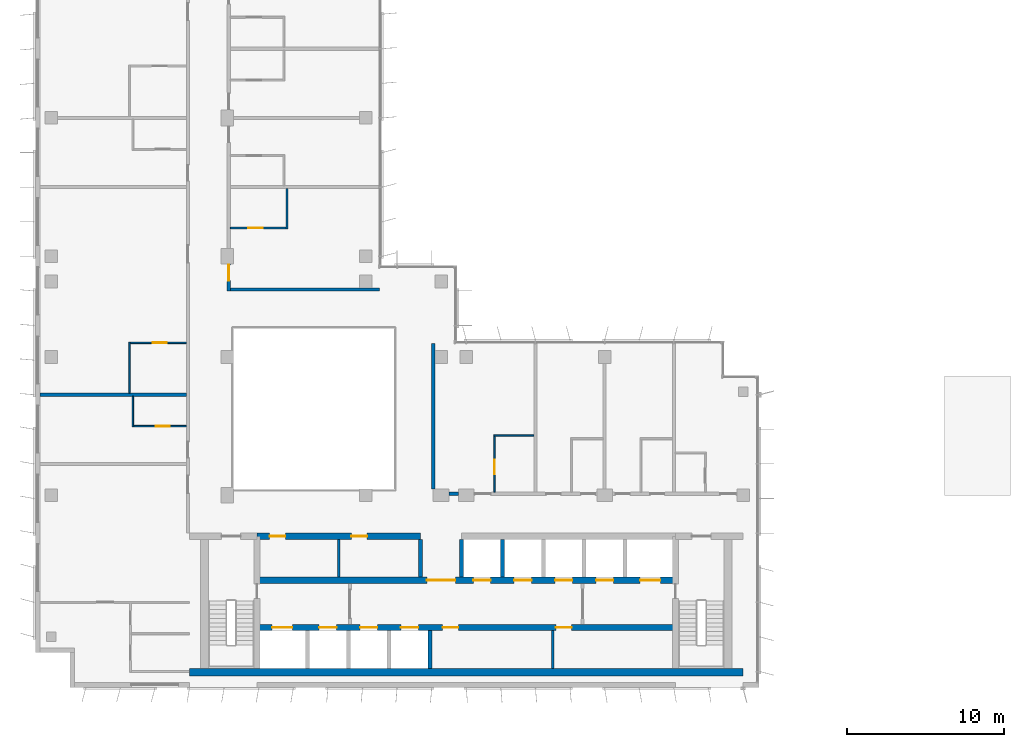
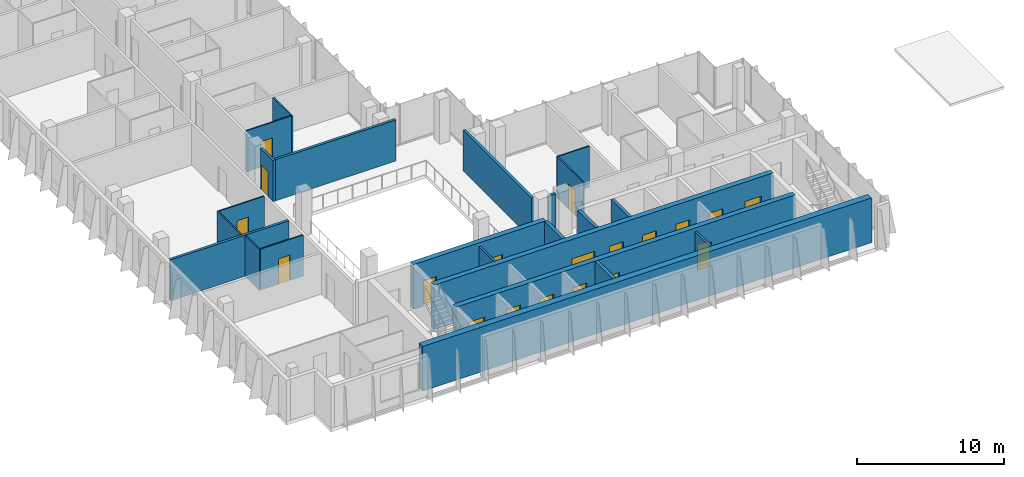
# One storey, part 10 of 17: 23 walls, 19 doors, 19 openings.
"""IFC4 building model written with IfcOpenShell, lengths in metres."""

from ifc_helpers import new_model, si_unit, direction, frame, frame_2d, origin, place, context, subcontext, project, spatial, rectangle, extrude, material, layer, layer_set, type_object, element, fill, save


model = new_model("IFC4")

# Units and contexts
model_context = context("Model", 3, precision=1e-05, world=origin(), true_north=direction((0.0, 1.0)))
body_context = subcontext(model_context, "Body", "Model", "MODEL_VIEW")
ifc_project = project(units=[si_unit("LENGTHUNIT", "METRE"), si_unit("AREAUNIT", "SQUARE_METRE"), si_unit("VOLUMEUNIT", "CUBIC_METRE"), si_unit("PLANEANGLEUNIT", "RADIAN"), si_unit("MASSUNIT", "GRAM", prefix="KILO")], contexts=[model_context])

# Site, building, storey
site_placement = place(None, origin())
site = spatial("IfcSite", under=ifc_project, at=site_placement, CompositionType="ELEMENT")
building_placement = place(site_placement, origin())
building = spatial("IfcBuilding", under=site, at=building_placement, Name="Kemantara Hotel Tower", CompositionType="ELEMENT")
storey_placement = place(building_placement, frame((0.0, 0.0, 226.5)))
storey = spatial("IfcBuildingStorey", under=building, at=storey_placement, Name="L56", CompositionType="ELEMENT", Elevation=226.5)

# Walls
ifc_material_1 = material(Name="Concrete fc 60 MPa", Category="concrete")
ifc_layer_1 = layer(ifc_material_1, 0.25)
ifc_layer_set_1 = layer_set([ifc_layer_1], Name="Concrete fc 60 MPa")
wall_type_1 = type_object("IfcWallType", Name="CORE WALL 250 FC60", PredefinedType="SHEAR", material=ifc_layer_set_1)
wall_1_placement = place(storey_placement, frame((25.10009765625, 1.199951171875, 0.0), z_axis=(0.0, 0.0, 1.0), x_axis=(0.0, 1.0, 0.0)))
element("IfcWall", 1, at=wall_1_placement, inside=storey, type_object=wall_type_1, Name="CORE WALL CW-DS25.1", PredefinedType="SHEAR", context=body_context, shape_type="SweptSolid", body=[
    extrude(rectangle(XDim=2.400146484375, YDim=0.25, at=frame_2d((1.2001953125, 0.0))), origin(), (0.0, 0.0, 1.0), 3.699951171875),
])
for number, where, z_axis, x_axis, name in (
    (2, (24.5, 7.0, 0.0), (0.0, 0.0, 1.0), (0.0, 1.0, 0.0), "CORE WALL CW-DN24.5"),
    (3, (27.10009765625, 7.0, 0.0), (0.0, 0.0, 1.0), (0.0, 1.0, 0.0), "CORE WALL CW-DN27.1"),
    (4, (29.699951171875, 7.0, 0.0), (0.0, 0.0, 1.0), (0.0, 1.0, 0.0), "CORE WALL CW-DN29.7"),
):
    element("IfcWall", number, at=place(storey_placement, frame(where, z_axis=z_axis, x_axis=x_axis)), inside=storey, type_object=wall_type_1, Name=name, PredefinedType="SHEAR", context=body_context, shape_type="SweptSolid", body=[
        extrude(rectangle(XDim=2.39990234375, YDim=0.25, at=frame_2d((1.199951171875, 0.0))), origin(), (0.0, 0.0, 1.0), 3.699951171875),
    ])

# Wall, openings, doors
ifc_layer_2 = layer(ifc_material_1, 0.39990234375)
ifc_layer_set_2 = layer_set([ifc_layer_2], Name="Concrete fc 60 MPa")
wall_type_2 = type_object("IfcWallType", Name="CORE WALL 400 FC60", PredefinedType="SHEAR", material=ifc_layer_set_2)
wall_2_placement = place(storey_placement, frame((14.10009765625, 9.60009765625, 0.0), z_axis=(0.0, 0.0, 1.0), x_axis=(1.0, 0.0, 0.0)))
wall_2 = element("IfcWall", 5, at=wall_2_placement, inside=storey, type_object=wall_type_2, Name="CORE WALL CW-NN1", PredefinedType="SHEAR", context=body_context, shape_type="SweptSolid", body=[
    extrude(rectangle(XDim=10.39990234375, YDim=0.39990234375, at=frame_2d((5.199951171875, 0.0))), origin(), (0.0, 0.0, 1.0), 3.699951171875),
])
opening_1_placement = place(wall_2_placement, frame((0.800048828125, 0.0, 0.0)))
opening_1 = element("IfcOpeningElement", 6, at=opening_1_placement, cuts=wall_2, Name="Opening C35-R-NW1", PredefinedType="OPENING", context=body_context, shape_type="SweptSolid", body=[
    extrude(rectangle(XDim=1.0, YDim=2.10009765625, at=frame_2d((0.5, 1.050048828125))), frame((0.0, 0.2099609375, 0.0), z_axis=(0.0, -1.0, 0.0), x_axis=(1.0, 0.0, 0.0)), (0.0, 0.0, 1.0), 0.419921875),
])
opening_2_placement = place(wall_2_placement, frame((6.0, 0.0, 0.0)))
opening_2 = element("IfcOpeningElement", 7, at=opening_2_placement, cuts=wall_2, Name="Opening C35-R-NW2", PredefinedType="OPENING", context=body_context, shape_type="SweptSolid", body=[
    extrude(rectangle(XDim=1.0, YDim=2.10009765625, at=frame_2d((0.5, 1.050048828125))), frame((0.0, 0.2099609375, 0.0), z_axis=(0.0, -1.0, 0.0), x_axis=(1.0, 0.0, 0.0)), (0.0, 0.0, 1.0), 0.419921875),
])
ifc_material_2 = material(Name="Steel fire door", Category="steel")
door_type_1 = type_object("IfcDoorType", Name="Fire door FD30S 1000 x 2100", OperationType="NOTDEFINED", PredefinedType="DOOR", material=ifc_material_2)
door_1_placement = place(opening_1_placement, frame((1.0, 0.0, 0.0), z_axis=(0.0, 0.0, 1.0), x_axis=(-1.0, 0.0, 0.0)))
door_1 = element("IfcDoor", 8, at=door_1_placement, inside=storey, type_object=door_type_1, Name="Housekeeping Store door", OperationType="SINGLE_SWING_RIGHT", OverallHeight=2.10009765625, OverallWidth=1.0, PredefinedType="DOOR", context=body_context, shape_type="SweptSolid", body=[
    extrude(rectangle(XDim=1.0, YDim=2.10009765625, at=frame_2d((0.5, 1.050048828125))), frame((0.0, 0.02490234375, 0.0), z_axis=(0.0, -1.0, 0.0), x_axis=(1.0, 0.0, 0.0)), (0.0, 0.0, 1.0), 0.050048828125),
])
fill(opening_1, door_1)
door_2_placement = place(opening_2_placement, frame((1.0, 0.0, 0.0), z_axis=(0.0, 0.0, 1.0), x_axis=(-1.0, 0.0, 0.0)))
door_2 = element("IfcDoor", 9, at=door_2_placement, inside=storey, type_object=door_type_1, Name="Staff Lounge door", OperationType="SINGLE_SWING_LEFT", OverallHeight=2.10009765625, OverallWidth=1.0, PredefinedType="DOOR", context=body_context, shape_type="SweptSolid", body=[
    extrude(rectangle(XDim=1.0, YDim=2.10009765625, at=frame_2d((0.5, 1.050048828125))), frame((0.0, 0.02490234375, 0.0), z_axis=(0.0, -1.0, 0.0), x_axis=(1.0, 0.0, 0.0)), (0.0, 0.0, 1.0), 0.050048828125),
])
fill(opening_2, door_2)

wall_3_placement = place(storey_placement, frame((14.10009765625, 3.800048828125, 0.0), z_axis=(0.0, 0.0, 1.0), x_axis=(1.0, 0.0, 0.0)))
wall_3 = element("IfcWall", 10, at=wall_3_placement, inside=storey, type_object=wall_type_2, Name="CORE WALL CW-L1", PredefinedType="SHEAR", context=body_context, shape_type="SweptSolid", body=[
    extrude(rectangle(XDim=26.599853515625, YDim=0.39990234375, at=frame_2d((13.2998046875, 0.0))), origin(), (0.0, 0.0, 1.0), 3.699951171875),
])
opening_3_placement = place(wall_3_placement, frame((0.949951171875, 0.0, 0.0)))
opening_3 = element("IfcOpeningElement", 11, at=opening_3_placement, cuts=wall_3, Name="Opening C35-LD-FF1", PredefinedType="OPENING", context=body_context, shape_type="SweptSolid", body=[
    extrude(rectangle(XDim=1.300048828125, YDim=2.10009765625, at=frame_2d((0.64990234375, 1.050048828125))), frame((0.0, 0.2099609375, 0.0), z_axis=(0.0, -1.0, 0.0), x_axis=(1.0, 0.0, 0.0)), (0.0, 0.0, 1.0), 0.419921875),
])
opening_4_placement = place(wall_3_placement, frame((3.949951171875, 0.0, 0.0)))
opening_4 = element("IfcOpeningElement", 12, at=opening_4_placement, cuts=wall_3, Name="Opening C35-LD-SV1", PredefinedType="OPENING", context=body_context, shape_type="SweptSolid", body=[
    extrude(rectangle(XDim=1.10009765625, YDim=2.10009765625, at=frame_2d((0.550048828125, 1.050048828125))), frame((0.0, 0.2099609375, 0.0), z_axis=(0.0, -1.0, 0.0), x_axis=(1.0, 0.0, 0.0)), (0.0, 0.0, 1.0), 0.419921875),
])
opening_5_placement = place(wall_3_placement, frame((6.550048828125, 0.0, 0.0)))
opening_5 = element("IfcOpeningElement", 13, at=opening_5_placement, cuts=wall_3, Name="Opening C35-LD-SV2", PredefinedType="OPENING", context=body_context, shape_type="SweptSolid", body=[
    extrude(rectangle(XDim=1.10009765625, YDim=2.10009765625, at=frame_2d((0.550048828125, 1.050048828125))), frame((0.0, 0.2099609375, 0.0), z_axis=(0.0, -1.0, 0.0), x_axis=(1.0, 0.0, 0.0)), (0.0, 0.0, 1.0), 0.419921875),
])
opening_6_placement = place(wall_3_placement, frame((9.14990234375, 0.0, 0.0)))
opening_6 = element("IfcOpeningElement", 14, at=opening_6_placement, cuts=wall_3, Name="Opening C35-LD-SV3", PredefinedType="OPENING", context=body_context, shape_type="SweptSolid", body=[
    extrude(rectangle(XDim=1.10009765625, YDim=2.10009765625, at=frame_2d((0.550048828125, 1.050048828125))), frame((0.0, 0.2099609375, 0.0), z_axis=(0.0, -1.0, 0.0), x_axis=(1.0, 0.0, 0.0)), (0.0, 0.0, 1.0), 0.419921875),
])
opening_7_placement = place(wall_3_placement, frame((11.800048828125, 0.0, 0.0)))
opening_7 = element("IfcOpeningElement", 15, at=opening_7_placement, cuts=wall_3, Name="Opening C35-R-SM1", PredefinedType="OPENING", context=body_context, shape_type="SweptSolid", body=[
    extrude(rectangle(XDim=1.0, YDim=2.10009765625, at=frame_2d((0.5, 1.050048828125))), frame((0.0, 0.2099609375, 0.0), z_axis=(0.0, -1.0, 0.0), x_axis=(1.0, 0.0, 0.0)), (0.0, 0.0, 1.0), 0.419921875),
])
opening_8_placement = place(wall_3_placement, frame((19.0, 0.0, 0.0)))
opening_8 = element("IfcOpeningElement", 16, at=opening_8_placement, cuts=wall_3, Name="Opening C35-R-SM2", PredefinedType="OPENING", context=body_context, shape_type="SweptSolid", body=[
    extrude(rectangle(XDim=1.0, YDim=2.10009765625, at=frame_2d((0.5, 1.050048828125))), frame((0.0, 0.2099609375, 0.0), z_axis=(0.0, -1.0, 0.0), x_axis=(1.0, 0.0, 0.0)), (0.0, 0.0, 1.0), 0.419921875),
])
door_3_placement = place(opening_7_placement, frame((1.0, 0.0, 0.0), z_axis=(0.0, 0.0, 1.0), x_axis=(-1.0, 0.0, 0.0)))
door_3 = element("IfcDoor", 17, at=door_3_placement, inside=storey, type_object=door_type_1, Name="Luggage Store door", OperationType="SINGLE_SWING_RIGHT", OverallHeight=2.10009765625, OverallWidth=1.0, PredefinedType="DOOR", context=body_context, shape_type="SweptSolid", body=[
    extrude(rectangle(XDim=1.0, YDim=2.10009765625, at=frame_2d((0.5, 1.050048828125))), frame((0.0, 0.02490234375, 0.0), z_axis=(0.0, -1.0, 0.0), x_axis=(1.0, 0.0, 0.0)), (0.0, 0.0, 1.0), 0.050048828125),
])
fill(opening_7, door_3)
door_4_placement = place(opening_8_placement, frame((1.0, 0.0, 0.0), z_axis=(0.0, 0.0, 1.0), x_axis=(-1.0, 0.0, 0.0)))
door_4 = element("IfcDoor", 18, at=door_4_placement, inside=storey, type_object=door_type_1, Name="Guest Pantry door", OperationType="SINGLE_SWING_LEFT", OverallHeight=2.10009765625, OverallWidth=1.0, PredefinedType="DOOR", context=body_context, shape_type="SweptSolid", body=[
    extrude(rectangle(XDim=1.0, YDim=2.10009765625, at=frame_2d((0.5, 1.050048828125))), frame((0.0, 0.02490234375, 0.0), z_axis=(0.0, -1.0, 0.0), x_axis=(1.0, 0.0, 0.0)), (0.0, 0.0, 1.0), 0.050048828125),
])
fill(opening_8, door_4)
ifc_material_3 = material(Name="Stainless steel lift door", Category="steel")
door_type_2 = type_object("IfcDoorType", Name="Lift landing door 1100 x 2100 FD60", OperationType="DOUBLE_DOOR_SLIDING", PredefinedType="DOOR", material=ifc_material_3)
door_5_placement = place(opening_4_placement, origin())
door_5 = element("IfcDoor", 19, at=door_5_placement, inside=storey, type_object=door_type_2, Name="Lift SV1 landing door", OperationType="DOUBLE_DOOR_SLIDING", OverallHeight=2.10009765625, OverallWidth=1.10009765625, PredefinedType="DOOR", context=body_context, shape_type="SweptSolid", body=[
    extrude(rectangle(XDim=1.10009765625, YDim=2.10009765625, at=frame_2d((0.550048828125, 1.050048828125))), frame((0.0, 0.02490234375, 0.0), z_axis=(0.0, -1.0, 0.0), x_axis=(1.0, 0.0, 0.0)), (0.0, 0.0, 1.0), 0.050048828125),
])
fill(opening_4, door_5)
door_6_placement = place(opening_5_placement, origin())
door_6 = element("IfcDoor", 20, at=door_6_placement, inside=storey, type_object=door_type_2, Name="Lift SV2 landing door", OperationType="DOUBLE_DOOR_SLIDING", OverallHeight=2.10009765625, OverallWidth=1.10009765625, PredefinedType="DOOR", context=body_context, shape_type="SweptSolid", body=[
    extrude(rectangle(XDim=1.10009765625, YDim=2.10009765625, at=frame_2d((0.550048828125, 1.050048828125))), frame((0.0, 0.02490234375, 0.0), z_axis=(0.0, -1.0, 0.0), x_axis=(1.0, 0.0, 0.0)), (0.0, 0.0, 1.0), 0.050048828125),
])
fill(opening_5, door_6)
door_7_placement = place(opening_6_placement, origin())
door_7 = element("IfcDoor", 21, at=door_7_placement, inside=storey, type_object=door_type_2, Name="Lift SV3 landing door", OperationType="DOUBLE_DOOR_SLIDING", OverallHeight=2.10009765625, OverallWidth=1.10009765625, PredefinedType="DOOR", context=body_context, shape_type="SweptSolid", body=[
    extrude(rectangle(XDim=1.10009765625, YDim=2.10009765625, at=frame_2d((0.550048828125, 1.050048828125))), frame((0.0, 0.02490234375, 0.0), z_axis=(0.0, -1.0, 0.0), x_axis=(1.0, 0.0, 0.0)), (0.0, 0.0, 1.0), 0.050048828125),
])
fill(opening_6, door_7)
door_type_3 = type_object("IfcDoorType", Name="Lift landing door 1300 x 2100 FD90", OperationType="DOUBLE_DOOR_SLIDING", PredefinedType="DOOR", material=ifc_material_3)
door_8_placement = place(opening_3_placement, origin())
door_8 = element("IfcDoor", 22, at=door_8_placement, inside=storey, type_object=door_type_3, Name="Lift FF1 landing door", OperationType="DOUBLE_DOOR_SLIDING", OverallHeight=2.10009765625, OverallWidth=1.300048828125, PredefinedType="DOOR", context=body_context, shape_type="SweptSolid", body=[
    extrude(rectangle(XDim=1.300048828125, YDim=2.10009765625, at=frame_2d((0.64990234375, 1.050048828125))), frame((0.0, 0.02490234375, 0.0), z_axis=(0.0, -1.0, 0.0), x_axis=(1.0, 0.0, 0.0)), (0.0, 0.0, 1.0), 0.050048828125),
])
fill(opening_3, door_8)

wall_4_placement = place(storey_placement, frame((14.10009765625, 6.800048828125, 0.0), z_axis=(0.0, 0.0, 1.0), x_axis=(1.0, 0.0, 0.0)))
wall_4 = element("IfcWall", 23, at=wall_4_placement, inside=storey, type_object=wall_type_2, Name="CORE WALL CW-L2", PredefinedType="SHEAR", context=body_context, shape_type="SweptSolid", body=[
    extrude(rectangle(XDim=26.599853515625, YDim=0.39990234375, at=frame_2d((13.2998046875, 0.0))), origin(), (0.0, 0.0, 1.0), 3.699951171875),
])
opening_9_placement = place(wall_4_placement, frame((10.800048828125, 0.0, 0.0)))
opening_9 = element("IfcOpeningElement", 24, at=opening_9_placement, cuts=wall_4, Name="Opening C35-VL", PredefinedType="OPENING", context=body_context, shape_type="SweptSolid", body=[
    extrude(rectangle(XDim=1.800048828125, YDim=2.10009765625, at=frame_2d((0.89990234375, 1.050048828125))), frame((0.0, 0.2099609375, 0.0), z_axis=(0.0, -1.0, 0.0), x_axis=(1.0, 0.0, 0.0)), (0.0, 0.0, 1.0), 0.419921875),
])
opening_10_placement = place(wall_4_placement, frame((13.75, 0.0, 0.0)))
opening_10 = element("IfcOpeningElement", 25, at=opening_10_placement, cuts=wall_4, Name="Opening C35-LD-HR1", PredefinedType="OPENING", context=body_context, shape_type="SweptSolid", body=[
    extrude(rectangle(XDim=1.10009765625, YDim=2.10009765625, at=frame_2d((0.550048828125, 1.050048828125))), frame((0.0, 0.2099609375, 0.0), z_axis=(0.0, -1.0, 0.0), x_axis=(1.0, 0.0, 0.0)), (0.0, 0.0, 1.0), 0.419921875),
])
opening_11_placement = place(wall_4_placement, frame((16.35009765625, 0.0, 0.0)))
opening_11 = element("IfcOpeningElement", 26, at=opening_11_placement, cuts=wall_4, Name="Opening C35-LD-HR2", PredefinedType="OPENING", context=body_context, shape_type="SweptSolid", body=[
    extrude(rectangle(XDim=1.10009765625, YDim=2.10009765625, at=frame_2d((0.550048828125, 1.050048828125))), frame((0.0, 0.2099609375, 0.0), z_axis=(0.0, -1.0, 0.0), x_axis=(1.0, 0.0, 0.0)), (0.0, 0.0, 1.0), 0.419921875),
])
opening_12_placement = place(wall_4_placement, frame((18.949951171875, 0.0, 0.0)))
opening_12 = element("IfcOpeningElement", 27, at=opening_12_placement, cuts=wall_4, Name="Opening C35-LD-HR3", PredefinedType="OPENING", context=body_context, shape_type="SweptSolid", body=[
    extrude(rectangle(XDim=1.10009765625, YDim=2.10009765625, at=frame_2d((0.550048828125, 1.050048828125))), frame((0.0, 0.2099609375, 0.0), z_axis=(0.0, -1.0, 0.0), x_axis=(1.0, 0.0, 0.0)), (0.0, 0.0, 1.0), 0.419921875),
])
opening_13_placement = place(wall_4_placement, frame((21.550048828125, 0.0, 0.0)))
opening_13 = element("IfcOpeningElement", 28, at=opening_13_placement, cuts=wall_4, Name="Opening C35-LD-HR4", PredefinedType="OPENING", context=body_context, shape_type="SweptSolid", body=[
    extrude(rectangle(XDim=1.10009765625, YDim=2.10009765625, at=frame_2d((0.550048828125, 1.050048828125))), frame((0.0, 0.2099609375, 0.0), z_axis=(0.0, -1.0, 0.0), x_axis=(1.0, 0.0, 0.0)), (0.0, 0.0, 1.0), 0.419921875),
])
opening_14_placement = place(wall_4_placement, frame((24.35009765625, 0.0, 0.0)))
opening_14 = element("IfcOpeningElement", 29, at=opening_14_placement, cuts=wall_4, Name="Opening C35-LD-FF2", PredefinedType="OPENING", context=body_context, shape_type="SweptSolid", body=[
    extrude(rectangle(XDim=1.300048828125, YDim=2.10009765625, at=frame_2d((0.64990234375, 1.050048828125))), frame((0.0, 0.2099609375, 0.0), z_axis=(0.0, -1.0, 0.0), x_axis=(1.0, 0.0, 0.0)), (0.0, 0.0, 1.0), 0.419921875),
])
door_type_4 = type_object("IfcDoorType", Name="Fire door pair FD60 1800 x 2100", OperationType="DOUBLE_DOOR_SINGLE_SWING", PredefinedType="DOOR", material=ifc_material_2)
door_9_placement = place(opening_9_placement, frame((1.800048828125, 0.0, 0.0), z_axis=(0.0, 0.0, 1.0), x_axis=(-1.0, 0.0, 0.0)))
door_9 = element("IfcDoor", 30, at=door_9_placement, inside=storey, type_object=door_type_4, Name="Lift lobby entry door", OperationType="DOUBLE_DOOR_SINGLE_SWING", OverallHeight=2.10009765625, OverallWidth=1.800048828125, PredefinedType="DOOR", context=body_context, shape_type="SweptSolid", body=[
    extrude(rectangle(XDim=1.800048828125, YDim=2.10009765625, at=frame_2d((0.89990234375, 1.050048828125))), frame((0.0, 0.02490234375, 0.0), z_axis=(0.0, -1.0, 0.0), x_axis=(1.0, 0.0, 0.0)), (0.0, 0.0, 1.0), 0.050048828125),
])
fill(opening_9, door_9)
door_10_placement = place(opening_10_placement, origin())
door_10 = element("IfcDoor", 31, at=door_10_placement, inside=storey, type_object=door_type_2, Name="Lift HR1 landing door", OperationType="DOUBLE_DOOR_SLIDING", OverallHeight=2.10009765625, OverallWidth=1.10009765625, PredefinedType="DOOR", context=body_context, shape_type="SweptSolid", body=[
    extrude(rectangle(XDim=1.10009765625, YDim=2.10009765625, at=frame_2d((0.550048828125, 1.050048828125))), frame((0.0, 0.02490234375, 0.0), z_axis=(0.0, -1.0, 0.0), x_axis=(1.0, 0.0, 0.0)), (0.0, 0.0, 1.0), 0.050048828125),
])
fill(opening_10, door_10)
door_11_placement = place(opening_11_placement, origin())
door_11 = element("IfcDoor", 32, at=door_11_placement, inside=storey, type_object=door_type_2, Name="Lift HR2 landing door", OperationType="DOUBLE_DOOR_SLIDING", OverallHeight=2.10009765625, OverallWidth=1.10009765625, PredefinedType="DOOR", context=body_context, shape_type="SweptSolid", body=[
    extrude(rectangle(XDim=1.10009765625, YDim=2.10009765625, at=frame_2d((0.550048828125, 1.050048828125))), frame((0.0, 0.02490234375, 0.0), z_axis=(0.0, -1.0, 0.0), x_axis=(1.0, 0.0, 0.0)), (0.0, 0.0, 1.0), 0.050048828125),
])
fill(opening_11, door_11)
door_12_placement = place(opening_12_placement, origin())
door_12 = element("IfcDoor", 33, at=door_12_placement, inside=storey, type_object=door_type_2, Name="Lift HR3 landing door", OperationType="DOUBLE_DOOR_SLIDING", OverallHeight=2.10009765625, OverallWidth=1.10009765625, PredefinedType="DOOR", context=body_context, shape_type="SweptSolid", body=[
    extrude(rectangle(XDim=1.10009765625, YDim=2.10009765625, at=frame_2d((0.550048828125, 1.050048828125))), frame((0.0, 0.02490234375, 0.0), z_axis=(0.0, -1.0, 0.0), x_axis=(1.0, 0.0, 0.0)), (0.0, 0.0, 1.0), 0.050048828125),
])
fill(opening_12, door_12)
door_13_placement = place(opening_13_placement, origin())
door_13 = element("IfcDoor", 34, at=door_13_placement, inside=storey, type_object=door_type_2, Name="Lift HR4 landing door", OperationType="DOUBLE_DOOR_SLIDING", OverallHeight=2.10009765625, OverallWidth=1.10009765625, PredefinedType="DOOR", context=body_context, shape_type="SweptSolid", body=[
    extrude(rectangle(XDim=1.10009765625, YDim=2.10009765625, at=frame_2d((0.550048828125, 1.050048828125))), frame((0.0, 0.02490234375, 0.0), z_axis=(0.0, -1.0, 0.0), x_axis=(1.0, 0.0, 0.0)), (0.0, 0.0, 1.0), 0.050048828125),
])
fill(opening_13, door_13)
door_14_placement = place(opening_14_placement, origin())
door_14 = element("IfcDoor", 35, at=door_14_placement, inside=storey, type_object=door_type_3, Name="Lift FF2 landing door", OperationType="DOUBLE_DOOR_SLIDING", OverallHeight=2.10009765625, OverallWidth=1.300048828125, PredefinedType="DOOR", context=body_context, shape_type="SweptSolid", body=[
    extrude(rectangle(XDim=1.300048828125, YDim=2.10009765625, at=frame_2d((0.64990234375, 1.050048828125))), frame((0.0, 0.02490234375, 0.0), z_axis=(0.0, -1.0, 0.0), x_axis=(1.0, 0.0, 0.0)), (0.0, 0.0, 1.0), 0.050048828125),
])
fill(opening_14, door_14)

# Walls
ifc_layer_3 = layer(ifc_material_1, 0.5)
ifc_layer_set_3 = layer_set([ifc_layer_3], Name="Concrete fc 60 MPa")
wall_type_3 = type_object("IfcWallType", Name="CORE WALL 500 FC60", PredefinedType="SHEAR", material=ifc_layer_set_3)
wall_5_placement = place(storey_placement, frame((9.800048828125, 0.949951171875, 0.0), z_axis=(0.0, 0.0, 1.0), x_axis=(1.0, 0.0, 0.0)))
element("IfcWall", 36, at=wall_5_placement, inside=storey, type_object=wall_type_3, Name="CORE WALL CW-S", PredefinedType="SHEAR", context=body_context, shape_type="SweptSolid", body=[
    extrude(rectangle(XDim=35.199951171875, YDim=0.5, at=frame_2d((17.60009765625, 0.0))), origin(), (0.0, 0.0, 1.0), 3.699951171875),
])
ifc_material_4 = material(Name="Gypsum board partition, steel studs and mineral wool, 200 mm", Category="steel")
ifc_layer_4 = layer(ifc_material_4, 0.199951171875)
ifc_layer_set_4 = layer_set([ifc_layer_4], Name="Gypsum board partition, steel studs and mineral wool, 200 mm")
wall_type_4 = type_object("IfcWallType", Name="CORRIDOR WALL 200", PredefinedType="PARTITIONING", material=ifc_layer_set_4)
wall_6_placement = place(storey_placement, frame((26.300048828125, 12.300048828125, 0.0), z_axis=(0.0, 0.0, 1.0), x_axis=(1.0, 0.0, 0.0)))
element("IfcWall", 37, at=wall_6_placement, inside=storey, type_object=wall_type_4, Name="CORRIDOR WALL 200 001", PredefinedType="PARTITIONING", context=body_context, shape_type="SweptSolid", body=[
    extrude(rectangle(XDim=0.599853515625, YDim=0.199951171875, at=frame_2d((0.2998046875, 0.0))), origin(), (0.0, 0.0, 1.0), 3.39990234375),
])

# Wall, opening, door
wall_7_placement = place(storey_placement, frame((12.300048828125, 26.89990234375, 0.0), z_axis=(0.0, 0.0, 1.0), x_axis=(0.0, -1.0, 0.0)))
wall_7 = element("IfcWall", 38, at=wall_7_placement, inside=storey, type_object=wall_type_4, Name="CORRIDOR WALL 200 020", PredefinedType="PARTITIONING", context=body_context, shape_type="SweptSolid", body=[
    extrude(rectangle(XDim=1.699951171875, YDim=0.199951171875, at=frame_2d((0.85009765625, 0.0))), origin(), (0.0, 0.0, 1.0), 3.39990234375),
])
opening_15_placement = place(wall_7_placement, frame((0.0498046875, 0.0, 0.0)))
opening_15 = element("IfcOpeningElement", 39, at=opening_15_placement, cuts=wall_7, Name="Opening F27-025", PredefinedType="OPENING", context=body_context, shape_type="SweptSolid", body=[
    extrude(rectangle(XDim=1.0, YDim=2.10009765625, at=frame_2d((0.5, 1.050048828125))), frame((0.0, 0.10986328125, 0.0), z_axis=(0.0, -1.0, 0.0), x_axis=(1.0, 0.0, 0.0)), (0.0, 0.0, 1.0), 0.219970703125),
])
ifc_material_5 = material(Name="Hardwood veneer door leaf with steel frame", Category="steel")
door_type_5 = type_object("IfcDoorType", Name="GUEST ROOM DOOR 1000 X 2100 FD30S", OperationType="NOTDEFINED", PredefinedType="DOOR", material=ifc_material_5)
door_15_placement = place(opening_15_placement, origin())
door_15 = element("IfcDoor", 40, at=door_15_placement, inside=storey, type_object=door_type_5, Name="GUEST ROOM DOOR F27-025", OperationType="SINGLE_SWING_RIGHT", OverallHeight=2.10009765625, OverallWidth=1.0, PredefinedType="DOOR", context=body_context, shape_type="SweptSolid", body=[
    extrude(rectangle(XDim=1.0, YDim=2.10009765625, at=frame_2d((0.5, 1.050048828125))), frame((0.0, 0.02490234375, 0.0), z_axis=(0.0, -1.0, 0.0), x_axis=(1.0, 0.0, 0.0)), (0.0, 0.0, 1.0), 0.050048828125),
])
fill(opening_15, door_15)

# Walls
ifc_layer_5 = layer(ifc_material_4, 0.199951171875)
ifc_layer_set_5 = layer_set([ifc_layer_5], Name="Gypsum board partition, steel studs and mineral wool, 200 mm")
wall_type_5 = type_object("IfcWallType", Name="GUEST ROOM PARTY WALL 200", PredefinedType="PARTITIONING", material=ifc_layer_set_5)
wall_8_placement = place(storey_placement, frame((25.300048828125, 12.60009765625, 0.0), z_axis=(0.0, 0.0, 1.0), x_axis=(0.0, 1.0, 0.0)))
element("IfcWall", 41, at=wall_8_placement, inside=storey, type_object=wall_type_5, Name="GUEST ROOM PARTY WALL 200 004", PredefinedType="PARTITIONING", context=body_context, shape_type="SweptSolid", body=[
    extrude(rectangle(XDim=9.27001953125, YDim=0.199951171875, at=frame_2d((4.635009765625, 0.0))), origin(), (0.0, 0.0, 1.0), 3.39990234375),
])
wall_9_placement = place(storey_placement, frame((0.31005859375, 18.60009765625, 0.0), z_axis=(0.0, 0.0, 1.0), x_axis=(1.0, 0.0, 0.0)))
element("IfcWall", 42, at=wall_9_placement, inside=storey, type_object=wall_type_5, Name="GUEST ROOM PARTY WALL 200 011", PredefinedType="PARTITIONING", context=body_context, shape_type="SweptSolid", body=[
    extrude(rectangle(XDim=9.2900390625, YDim=0.199951171875, at=frame_2d((4.64501953125, 0.0))), origin(), (0.0, 0.0, 1.0), 3.39990234375),
])
wall_10_placement = place(storey_placement, frame((12.39990234375, 25.300048828125, 0.0), z_axis=(0.0, 0.0, 1.0), x_axis=(1.0, 0.0, 0.0)))
element("IfcWall", 43, at=wall_10_placement, inside=storey, type_object=wall_type_5, Name="GUEST ROOM PARTY WALL 200 025", PredefinedType="PARTITIONING", context=body_context, shape_type="SweptSolid", body=[
    extrude(rectangle(XDim=9.47021484375, YDim=0.199951171875, at=frame_2d((4.735107421875, 0.0))), origin(), (0.0, 0.0, 1.0), 3.39990234375),
])
ifc_material_6 = material(Name="Gypsum board partition")
ifc_layer_6 = layer(ifc_material_6, 0.14990234375)
ifc_layer_set_6 = layer_set([ifc_layer_6], Name="Gypsum board partition")
wall_type_6 = type_object("IfcWallType", Name="Gypsum board partition 150 mm", PredefinedType="PARTITIONING", material=ifc_layer_set_6)
wall_11_placement = place(storey_placement, frame((19.300048828125, 7.0, 0.0), z_axis=(0.0, 0.0, 1.0), x_axis=(0.0, 1.0, 0.0)))
element("IfcWall", 44, at=wall_11_placement, inside=storey, type_object=wall_type_6, Name="Core room partition", PredefinedType="PARTITIONING", context=body_context, shape_type="SweptSolid", body=[
    extrude(rectangle(XDim=2.39990234375, YDim=0.14990234375, at=frame_2d((1.199951171875, 0.0))), origin(), (0.0, 0.0, 1.0), 3.39990234375),
])
wall_12_placement = place(storey_placement, frame((32.89990234375, 1.199951171875, 0.0), z_axis=(0.0, 0.0, 1.0), x_axis=(0.0, 1.0, 0.0)))
element("IfcWall", 45, at=wall_12_placement, inside=storey, type_object=wall_type_6, Name="Core room partition", PredefinedType="PARTITIONING", context=body_context, shape_type="SweptSolid", body=[
    extrude(rectangle(XDim=2.400146484375, YDim=0.14990234375, at=frame_2d((1.2001953125, 0.0))), origin(), (0.0, 0.0, 1.0), 3.39990234375),
])
ifc_material_7 = material(Name="Gypsum board partition on steel studs, 100 mm", Category="steel")
ifc_layer_7 = layer(ifc_material_7, 0.10009765625)
ifc_layer_set_7 = layer_set([ifc_layer_7], Name="Gypsum board partition on steel studs, 100 mm")
wall_type_7 = type_object("IfcWallType", Name="ROOM PARTITION 100", PredefinedType="PARTITIONING", material=ifc_layer_set_7)
wall_13_placement = place(storey_placement, frame((29.14990234375, 16.0, 0.0), z_axis=(0.0, 0.0, 1.0), x_axis=(1.0, 0.0, 0.0)))
element("IfcWall", 46, at=wall_13_placement, inside=storey, type_object=wall_type_7, Name="ROOM PARTITION 100 028", PredefinedType="PARTITIONING", context=body_context, shape_type="SweptSolid", body=[
    extrude(rectangle(XDim=2.550048828125, YDim=0.10009765625, at=frame_2d((1.27490234375, 0.0))), origin(), (0.0, 0.0, 1.0), 3.39990234375),
])

# Wall, opening, door
wall_14_placement = place(storey_placement, frame((29.199951171875, 15.949951171875, 0.0), z_axis=(0.0, 0.0, 1.0), x_axis=(0.0, -1.0, 0.0)))
wall_14 = element("IfcWall", 47, at=wall_14_placement, inside=storey, type_object=wall_type_7, Name="ROOM PARTITION 100 029", PredefinedType="PARTITIONING", context=body_context, shape_type="SweptSolid", body=[
    extrude(rectangle(XDim=3.550048828125, YDim=0.10009765625, at=frame_2d((1.77490234375, 0.0))), origin(), (0.0, 0.0, 1.0), 3.39990234375),
])
opening_16_placement = place(wall_14_placement, frame((1.5, 0.0, 0.0)))
opening_16 = element("IfcOpeningElement", 48, at=opening_16_placement, cuts=wall_14, Name="Opening F27-002", PredefinedType="OPENING", context=body_context, shape_type="SweptSolid", body=[
    extrude(rectangle(XDim=0.89990234375, YDim=2.10009765625, at=frame_2d((0.449951171875, 1.050048828125))), frame((0.0, 0.06005859375, 0.0), z_axis=(0.0, -1.0, 0.0), x_axis=(1.0, 0.0, 0.0)), (0.0, 0.0, 1.0), 0.1201171875),
])
door_type_6 = type_object("IfcDoorType", Name="BATHROOM DOOR 900 X 2100", OperationType="NOTDEFINED", PredefinedType="DOOR", material=ifc_material_5)
door_16_placement = place(opening_16_placement, origin())
door_16 = element("IfcDoor", 49, at=door_16_placement, inside=storey, type_object=door_type_6, Name="BATHROOM DOOR F27-002", OperationType="SINGLE_SWING_RIGHT", OverallHeight=2.10009765625, OverallWidth=0.89990234375, PredefinedType="DOOR", context=body_context, shape_type="SweptSolid", body=[
    extrude(rectangle(XDim=0.89990234375, YDim=2.10009765625, at=frame_2d((0.449951171875, 1.050048828125))), frame((0.0, 0.02490234375, 0.0), z_axis=(0.0, -1.0, 0.0), x_axis=(1.0, 0.0, 0.0)), (0.0, 0.0, 1.0), 0.050048828125),
])
fill(opening_16, door_16)

# Wall
wall_15_placement = place(storey_placement, frame((6.199951171875, 16.550048828125, 0.0), z_axis=(0.0, 0.0, 1.0), x_axis=(0.0, 1.0, 0.0)))
element("IfcWall", 50, at=wall_15_placement, inside=storey, type_object=wall_type_7, Name="ROOM PARTITION 100 040", PredefinedType="PARTITIONING", context=body_context, shape_type="SweptSolid", body=[
    extrude(rectangle(XDim=1.949951171875, YDim=0.10009765625, at=frame_2d((0.97509765625, 0.0))), origin(), (0.0, 0.0, 1.0), 3.39990234375),
])

# Wall, opening, door
wall_16_placement = place(storey_placement, frame((6.25, 16.60009765625, 0.0), z_axis=(0.0, 0.0, 1.0), x_axis=(1.0, 0.0, 0.0)))
wall_16 = element("IfcWall", 51, at=wall_16_placement, inside=storey, type_object=wall_type_7, Name="ROOM PARTITION 100 043", PredefinedType="PARTITIONING", context=body_context, shape_type="SweptSolid", body=[
    extrude(rectangle(XDim=3.35009765625, YDim=0.10009765625, at=frame_2d((1.675048828125, 0.0))), origin(), (0.0, 0.0, 1.0), 3.39990234375),
])
opening_17_placement = place(wall_16_placement, frame((1.39990234375, 0.0, 0.0)))
opening_17 = element("IfcOpeningElement", 52, at=opening_17_placement, cuts=wall_16, Name="Opening F27-014", PredefinedType="OPENING", context=body_context, shape_type="SweptSolid", body=[
    extrude(rectangle(XDim=0.89990234375, YDim=2.10009765625, at=frame_2d((0.449951171875, 1.050048828125))), frame((0.0, 0.06005859375, 0.0), z_axis=(0.0, -1.0, 0.0), x_axis=(1.0, 0.0, 0.0)), (0.0, 0.0, 1.0), 0.1201171875),
])
door_17_placement = place(opening_17_placement, origin())
door_17 = element("IfcDoor", 53, at=door_17_placement, inside=storey, type_object=door_type_6, Name="BATHROOM DOOR F27-014", OperationType="SINGLE_SWING_RIGHT", OverallHeight=2.10009765625, OverallWidth=0.89990234375, PredefinedType="DOOR", context=body_context, shape_type="SweptSolid", body=[
    extrude(rectangle(XDim=0.89990234375, YDim=2.10009765625, at=frame_2d((0.449951171875, 1.050048828125))), frame((0.0, 0.02490234375, 0.0), z_axis=(0.0, -1.0, 0.0), x_axis=(1.0, 0.0, 0.0)), (0.0, 0.0, 1.0), 0.050048828125),
])
fill(opening_17, door_17)

# Wall
wall_17_placement = place(storey_placement, frame((6.0, 18.699951171875, 0.0), z_axis=(0.0, 0.0, 1.0), x_axis=(0.0, 1.0, 0.0)))
element("IfcWall", 54, at=wall_17_placement, inside=storey, type_object=wall_type_7, Name="ROOM PARTITION 100 044", PredefinedType="PARTITIONING", context=body_context, shape_type="SweptSolid", body=[
    extrude(rectangle(XDim=3.25, YDim=0.10009765625, at=frame_2d((1.625, 0.0))), origin(), (0.0, 0.0, 1.0), 3.39990234375),
])

# Wall, opening, door
wall_18_placement = place(storey_placement, frame((9.60009765625, 21.89990234375, 0.0), z_axis=(0.0, 0.0, 1.0), x_axis=(-1.0, 0.0, 0.0)))
wall_18 = element("IfcWall", 55, at=wall_18_placement, inside=storey, type_object=wall_type_7, Name="ROOM PARTITION 100 047", PredefinedType="PARTITIONING", context=body_context, shape_type="SweptSolid", body=[
    extrude(rectangle(XDim=3.550048828125, YDim=0.10009765625, at=frame_2d((1.77490234375, 0.0))), origin(), (0.0, 0.0, 1.0), 3.39990234375),
])
opening_18_placement = place(wall_18_placement, frame((1.25, 0.0, 0.0)))
opening_18 = element("IfcOpeningElement", 56, at=opening_18_placement, cuts=wall_18, Name="Opening F27-016", PredefinedType="OPENING", context=body_context, shape_type="SweptSolid", body=[
    extrude(rectangle(XDim=0.89990234375, YDim=2.10009765625, at=frame_2d((0.449951171875, 1.050048828125))), frame((0.0, 0.06005859375, 0.0), z_axis=(0.0, -1.0, 0.0), x_axis=(1.0, 0.0, 0.0)), (0.0, 0.0, 1.0), 0.1201171875),
])
door_18_placement = place(opening_18_placement, origin())
door_18 = element("IfcDoor", 57, at=door_18_placement, inside=storey, type_object=door_type_6, Name="BATHROOM DOOR F27-016", OperationType="SINGLE_SWING_LEFT", OverallHeight=2.10009765625, OverallWidth=0.89990234375, PredefinedType="DOOR", context=body_context, shape_type="SweptSolid", body=[
    extrude(rectangle(XDim=0.89990234375, YDim=2.10009765625, at=frame_2d((0.449951171875, 1.050048828125))), frame((0.0, 0.02490234375, 0.0), z_axis=(0.0, -1.0, 0.0), x_axis=(1.0, 0.0, 0.0)), (0.0, 0.0, 1.0), 0.050048828125),
])
fill(opening_18, door_18)

# Wall
wall_19_placement = place(storey_placement, frame((16.0, 29.14990234375, 0.0), z_axis=(0.0, 0.0, 1.0), x_axis=(0.0, 1.0, 0.0)))
element("IfcWall", 58, at=wall_19_placement, inside=storey, type_object=wall_type_7, Name="ROOM PARTITION 100 053", PredefinedType="PARTITIONING", context=body_context, shape_type="SweptSolid", body=[
    extrude(rectangle(XDim=2.550048828125, YDim=0.10009765625, at=frame_2d((1.27490234375, 0.0))), origin(), (0.0, 0.0, 1.0), 3.39990234375),
])

# Wall, opening, door
wall_20_placement = place(storey_placement, frame((12.39990234375, 29.199951171875, 0.0), z_axis=(0.0, 0.0, 1.0), x_axis=(1.0, 0.0, 0.0)))
wall_20 = element("IfcWall", 59, at=wall_20_placement, inside=storey, type_object=wall_type_7, Name="ROOM PARTITION 100 054", PredefinedType="PARTITIONING", context=body_context, shape_type="SweptSolid", body=[
    extrude(rectangle(XDim=3.550048828125, YDim=0.10009765625, at=frame_2d((1.77490234375, 0.0))), origin(), (0.0, 0.0, 1.0), 3.39990234375),
])
opening_19_placement = place(wall_20_placement, frame((1.14990234375, 0.0, 0.0)))
opening_19 = element("IfcOpeningElement", 60, at=opening_19_placement, cuts=wall_20, Name="Opening F27-026", PredefinedType="OPENING", context=body_context, shape_type="SweptSolid", body=[
    extrude(rectangle(XDim=0.89990234375, YDim=2.10009765625, at=frame_2d((0.449951171875, 1.050048828125))), frame((0.0, 0.06005859375, 0.0), z_axis=(0.0, -1.0, 0.0), x_axis=(1.0, 0.0, 0.0)), (0.0, 0.0, 1.0), 0.1201171875),
])
door_19_placement = place(opening_19_placement, origin())
door_19 = element("IfcDoor", 61, at=door_19_placement, inside=storey, type_object=door_type_6, Name="BATHROOM DOOR F27-026", OperationType="SINGLE_SWING_LEFT", OverallHeight=2.10009765625, OverallWidth=0.89990234375, PredefinedType="DOOR", context=body_context, shape_type="SweptSolid", body=[
    extrude(rectangle(XDim=0.89990234375, YDim=2.10009765625, at=frame_2d((0.449951171875, 1.050048828125))), frame((0.0, 0.02490234375, 0.0), z_axis=(0.0, -1.0, 0.0), x_axis=(1.0, 0.0, 0.0)), (0.0, 0.0, 1.0), 0.050048828125),
])
fill(opening_19, door_19)

save(model, "model.ifc")
